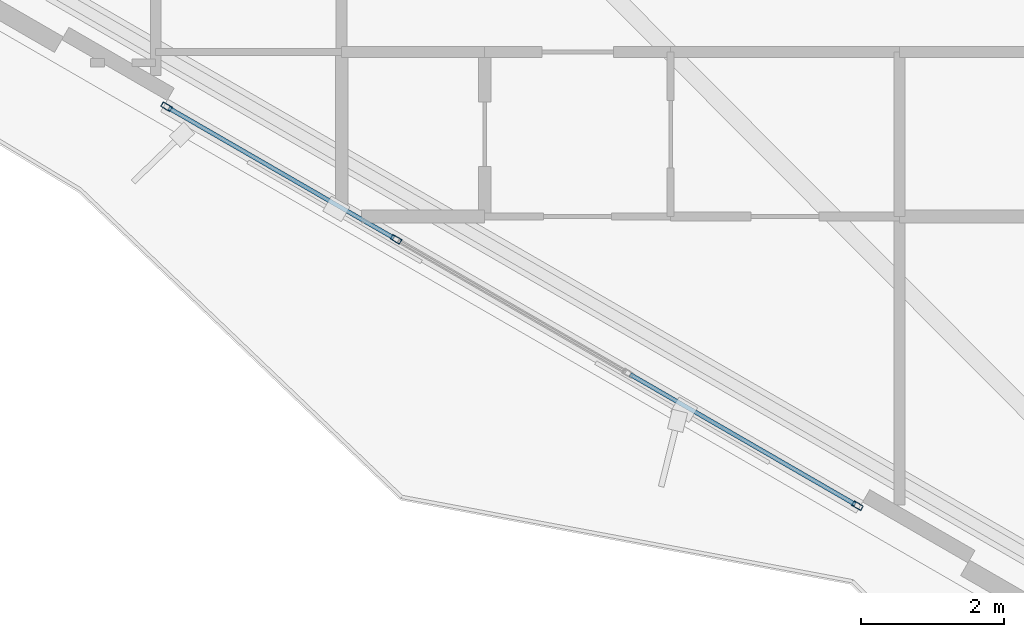
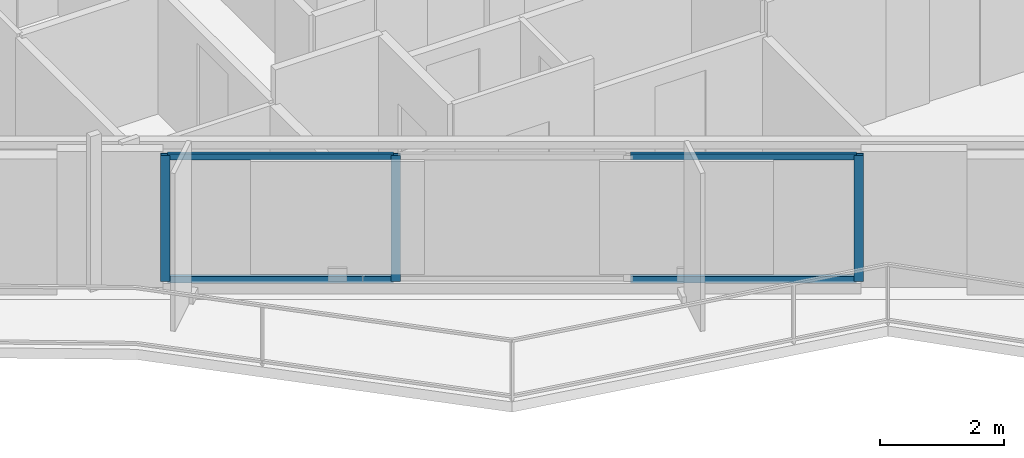
# One storey, part 2 of 22: 7 members, 1 element without a shape of its own.
"""IFC4 building model written with IfcOpenShell, lengths in metres."""

from ifc_helpers import new_model, si_unit, direction, frame, origin, origin_2d, place, context, subcontext, project, spatial, hollow_rectangle, extrude, material, layer, layer_set, material_profile, profile_set, type_object, element, aggregate, save


model = new_model("IFC4")

# Units and contexts
model_context = context("Model", 3, precision=1e-05, world=origin(), true_north=direction((0.0, 1.0)))
body_context = subcontext(model_context, "Body", "Model", "MODEL_VIEW")
ifc_project = project(units=[si_unit("LENGTHUNIT", "METRE"), si_unit("AREAUNIT", "SQUARE_METRE"), si_unit("VOLUMEUNIT", "CUBIC_METRE"), si_unit("PLANEANGLEUNIT", "RADIAN"), si_unit("MASSUNIT", "GRAM", prefix="KILO")], contexts=[model_context])

# Site, building, storey
site_placement = place(None, origin())
site = spatial("IfcSite", under=ifc_project, at=site_placement, CompositionType="ELEMENT")
building_placement = place(site_placement, origin())
building = spatial("IfcBuilding", under=site, at=building_placement, Name="Mersakhor Tower and Convention Hall", CompositionType="ELEMENT")
storey_placement = place(building_placement, frame((0.0, 0.0, 99.89990234375)))
storey = spatial("IfcBuildingStorey", under=building, at=storey_placement, Name="L27", CompositionType="ELEMENT", Elevation=99.89990234375)

# Curtain wall, members
ifc_material_1 = material(Name="Dark solar low-E aluminium curtain wall", Category="aluminium")
ifc_layer = layer(ifc_material_1, 0.159912109375)
ifc_layer_set = layer_set([ifc_layer], Name="Dark solar low-E aluminium curtain wall")
curtain_wall_type = type_object("IfcCurtainWallType", Name="CW-SYS-01", PredefinedType="USERDEFINED", material=ifc_layer_set)
curtain_wall_placement = place(storey_placement, origin())
curtain_wall = element("IfcCurtainWall", 1, at=curtain_wall_placement, inside=storey, type_object=curtain_wall_type, Name="L27 Dark-Glass Curtain Wall F3-B2", ObjectType="CURTAIN WALL", PredefinedType="USERDEFINED")
ifc_material_2 = material(Name="Anodised aluminium EN AW-6063 T6", Category="aluminium")
ifc_material_profile_1 = material_profile(ifc_material_2, hollow_rectangle(XDim=0.074951171875, YDim=0.14990234375, WallThickness=0.00634765625, at=origin_2d()), Name="RHS 150x75x6.3")
ifc_profile_set_1 = profile_set([ifc_material_profile_1], Name="Anodised aluminium EN AW-6063 T6")
member_type_1 = type_object("IfcMemberType", Name="CWM-150x75", PredefinedType="MULLION", material=ifc_profile_set_1)
member_1_placement = place(storey_placement, frame((26.812744140625, 11.80712890625, 0.2001953125), z_axis=(0.0, 0.0, 1.0), x_axis=(-0.499997904985, -0.866026613339, 0.0)))
member_1 = element("IfcMember", 2, at=member_1_placement, type_object=member_type_1, Name="CW-01 mullion 1", PredefinedType="MULLION", context=body_context, shape_type="SweptSolid", body=[
    extrude(hollow_rectangle(XDim=0.074951171875, YDim=0.14990234375, WallThickness=0.00634765625, at=origin_2d()), origin(), (0.0, 0.0, 1.0), 2.469970703125),
])
member_2_placement = place(storey_placement, frame((20.36181640625, 15.531494140625, 0.2001953125), z_axis=(0.0, 0.0, 1.0), x_axis=(-0.499997904985, -0.866026613339, 0.0)))
member_2 = element("IfcMember", 3, at=member_2_placement, type_object=member_type_1, Name="CW-01 mullion 3", PredefinedType="MULLION", context=body_context, shape_type="SweptSolid", body=[
    extrude(hollow_rectangle(XDim=0.074951171875, YDim=0.14990234375, WallThickness=0.00634765625, at=origin_2d()), origin(), (0.0, 0.0, 1.0), 2.469970703125),
])
member_3_placement = place(storey_placement, frame((17.152587890625, 17.38427734375, 0.2001953125), z_axis=(0.0, 0.0, 1.0), x_axis=(-0.499997904985, -0.866026613339, 0.0)))
member_3 = element("IfcMember", 4, at=member_3_placement, type_object=member_type_1, Name="CW-01 mullion 4", PredefinedType="MULLION", context=body_context, shape_type="SweptSolid", body=[
    extrude(hollow_rectangle(XDim=0.074951171875, YDim=0.14990234375, WallThickness=0.00634765625, at=origin_2d()), origin(), (0.0, 0.0, 1.0), 2.469970703125),
])
ifc_material_3 = material(Name="Anodised aluminium EN AW-6063 T6", Category="aluminium")
ifc_material_profile_2 = material_profile(ifc_material_3, hollow_rectangle(XDim=0.06005859375, YDim=0.1201171875, WallThickness=0.0048828125, at=origin_2d()), Name="RHS 120x60x5")
ifc_profile_set_2 = profile_set([ifc_material_profile_2], Name="Anodised aluminium EN AW-6063 T6")
member_type_2 = type_object("IfcMemberType", Name="CWT-120x60", PredefinedType="USERDEFINED", material=ifc_profile_set_2)
member_4_placement = place(storey_placement, frame((26.7802734375, 11.82568359375, 0.22998046875), z_axis=(-0.866016497289, 0.500015426185, 0.0), x_axis=(-0.500015426185, -0.866016497289, 0.0)))
member_4 = element("IfcMember", 5, at=member_4_placement, type_object=member_type_2, Name="CW-01 transom 1.1", ObjectType="TRANSOM", PredefinedType="USERDEFINED", context=body_context, shape_type="SweptSolid", body=[
    extrude(hollow_rectangle(XDim=0.06005859375, YDim=0.1201171875, WallThickness=0.0048828125, at=origin_2d()), origin(), (0.0, 0.0, 1.0), 3.630859375),
])
member_5_placement = place(storey_placement, frame((26.7802734375, 11.82568359375, 2.64013671875), z_axis=(-0.866016497289, 0.500015426185, 0.0), x_axis=(-0.500015426185, -0.866016497289, 0.0)))
member_5 = element("IfcMember", 6, at=member_5_placement, type_object=member_type_2, Name="CW-01 transom 1.2", ObjectType="TRANSOM", PredefinedType="USERDEFINED", context=body_context, shape_type="SweptSolid", body=[
    extrude(hollow_rectangle(XDim=0.06005859375, YDim=0.1201171875, WallThickness=0.0048828125, at=origin_2d()), origin(), (0.0, 0.0, 1.0), 3.630859375),
])
member_6_placement = place(storey_placement, frame((20.329345703125, 15.55029296875, 0.22998046875), z_axis=(-0.866045614266, 0.499964992784, 0.0), x_axis=(-0.499964992784, -0.866045614266, 0.0)))
member_6 = element("IfcMember", 7, at=member_6_placement, type_object=member_type_2, Name="CW-01 transom 3.1", ObjectType="TRANSOM", PredefinedType="USERDEFINED", context=body_context, shape_type="SweptSolid", body=[
    extrude(hollow_rectangle(XDim=0.06005859375, YDim=0.1201171875, WallThickness=0.0048828125, at=origin_2d()), origin(), (0.0, 0.0, 1.0), 3.630615234375),
])
member_7_placement = place(storey_placement, frame((20.329345703125, 15.55029296875, 2.64013671875), z_axis=(-0.866045614266, 0.499964992784, 0.0), x_axis=(-0.499964992784, -0.866045614266, 0.0)))
member_7 = element("IfcMember", 8, at=member_7_placement, type_object=member_type_2, Name="CW-01 transom 3.2", ObjectType="TRANSOM", PredefinedType="USERDEFINED", context=body_context, shape_type="SweptSolid", body=[
    extrude(hollow_rectangle(XDim=0.06005859375, YDim=0.1201171875, WallThickness=0.0048828125, at=origin_2d()), origin(), (0.0, 0.0, 1.0), 3.630615234375),
])
aggregate(curtain_wall, [member_1, member_2, member_3, member_4, member_5, member_6, member_7])

save(model, "model.ifc")
